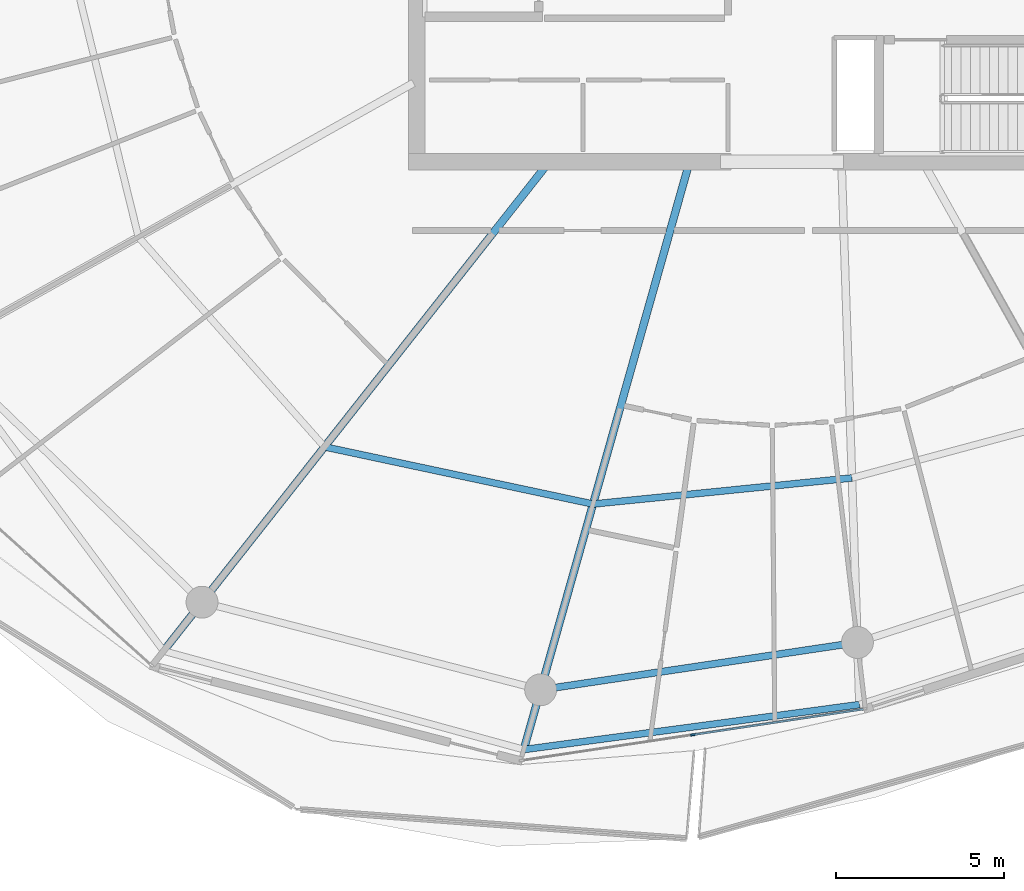
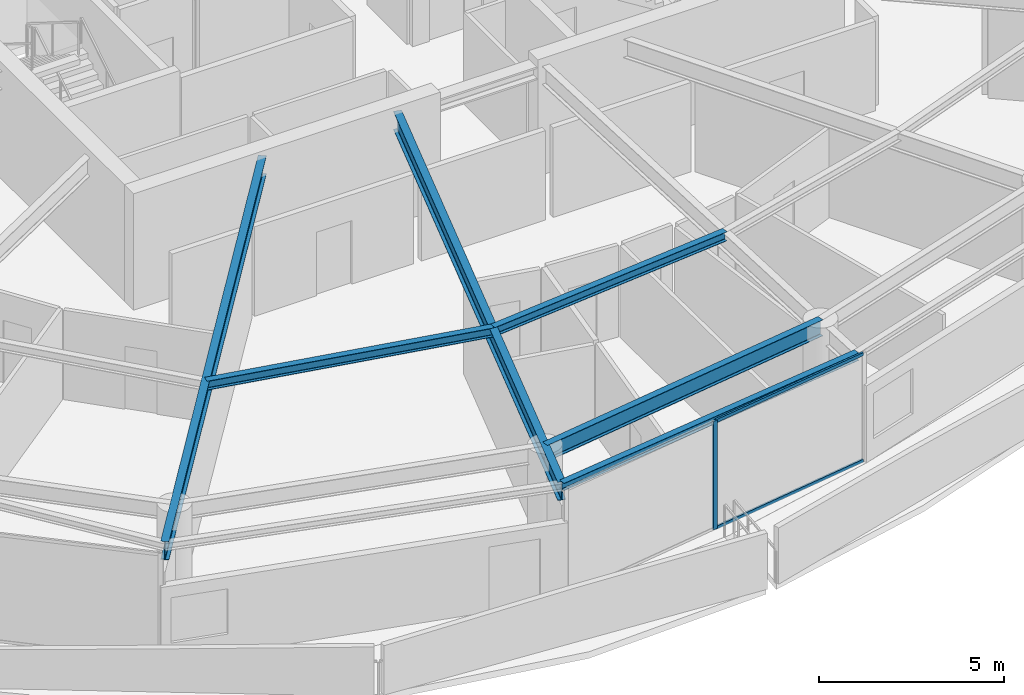
# One storey, part 7 of 30: 6 beams, 3 members, 1 element without a shape of its own.
"""IFC4 building model written with IfcOpenShell, lengths in metres."""

import ifcopenshell
import ifcopenshell.guid

model = None  # the IFC model being written
_history = None  # IfcOwnerHistory: only IFC2X3 demands one
_inside = {}  # id of a spatial element -> (the spatial element, [elements in it])
_under = {}  # id of a project, library or spatial element -> (it, [spatial elements below it])
_declared = {}  # id of a project -> (the project, [libraries it declares])
_typed = {}  # id of a type object -> (the type object, [elements of that type])
_made_of = {}  # id of a material, layer set ... -> (it, [elements and type objects made of it])


def new_model(schema):
    """Start an empty IFC model of exactly this schema.

    Asked for "IFC4X3", IfcOpenShell would pick the latest addendum, in which some entities
    have other attributes; the version numbers below select the first issue.
    IFC2X3 requires an IfcOwnerHistory on every rooted entity: one is made here for all.
    """
    global model, _history
    if schema == "IFC4X3":
        model = ifcopenshell.file(schema_version=(4, 3, 0, 0))
    else:
        model = ifcopenshell.file(schema=schema)
    _inside.clear()
    _under.clear()
    _declared.clear()
    _typed.clear()
    _made_of.clear()
    _history = None
    if model.schema == "IFC2X3":
        org = make("IfcOrganization", Name="unknown")
        user = make(
            "IfcPersonAndOrganization",
            ThePerson=make("IfcPerson", FamilyName="unknown"),
            TheOrganization=org,
        )
        app = make(
            "IfcApplication",
            ApplicationDeveloper=org,
            Version="unknown",
            ApplicationFullName="unknown",
            ApplicationIdentifier="unknown",
        )
        _history = make(
            "IfcOwnerHistory",
            OwningUser=user,
            OwningApplication=app,
            ChangeAction="ADDED",
            CreationDate=0,
        )
    return model


def make(cls, **values):
    """One entity of the class cls with the attributes given. An attribute that is None is left unset."""
    return model.create_entity(
        cls, **{name: value for name, value in values.items() if value is not None}
    )


def rooted(cls, **values):
    """An entity with a GlobalId (a new one), such as an element, a storey or a relation."""
    return make(cls, GlobalId=ifcopenshell.guid.new(), OwnerHistory=_history, **values)


def si_unit(unit_type, name, prefix=None):
    """IfcSIUnit, for example si_unit("LENGTHUNIT", "METRE", prefix="MILLI")."""
    return make("IfcSIUnit", UnitType=unit_type, Prefix=prefix, Name=name)


def assignment(units):
    """IfcUnitAssignment: the units of a project."""
    return None if units is None else make("IfcUnitAssignment", Units=units)


def point(xyz):
    """IfcCartesianPoint."""
    return None if xyz is None else make("IfcCartesianPoint", Coordinates=xyz)


def direction(xyz):
    """IfcDirection."""
    return None if xyz is None else make("IfcDirection", DirectionRatios=xyz)


def frame(location, z_axis=None, x_axis=None):
    """IfcAxis2Placement3D, a coordinate frame: its origin and axes. An axis left out is left unset."""
    return make(
        "IfcAxis2Placement3D",
        Location=point(location),
        Axis=direction(z_axis),
        RefDirection=direction(x_axis),
    )


def frame_2d(location, x_axis=None):
    """IfcAxis2Placement2D, a coordinate frame in the plane: its origin and x axis."""
    return make(
        "IfcAxis2Placement2D", Location=point(location), RefDirection=direction(x_axis)
    )


def origin():
    """The frame at (0, 0, 0) with its axes left unset."""
    return frame((0.0, 0.0, 0.0))


def origin_2d():
    """The frame at (0, 0) in the plane with its x axis left unset."""
    return frame_2d((0.0, 0.0))


def place(relative_to, where):
    """IfcLocalPlacement: puts the frame where relative to a parent placement (None: the world)."""
    return make(
        "IfcLocalPlacement", PlacementRelTo=relative_to, RelativePlacement=where
    )


def context(
    kind, dimensions, precision=None, world=None, true_north=None, identifier=None
):
    """IfcGeometricRepresentationContext, for example the 3D "Model" context."""
    return make(
        "IfcGeometricRepresentationContext",
        ContextIdentifier=identifier,
        ContextType=kind,
        CoordinateSpaceDimension=dimensions,
        Precision=precision,
        WorldCoordinateSystem=world,
        TrueNorth=true_north,
    )


def subcontext(parent, identifier, kind, view, scale=None):
    """IfcGeometricRepresentationSubContext, for example "Body" below "Model"."""
    return make(
        "IfcGeometricRepresentationSubContext",
        ContextIdentifier=identifier,
        ContextType=kind,
        ParentContext=parent,
        TargetScale=scale,
        TargetView=view,
    )


def project(units=None, contexts=None):
    """IfcProject with its units and contexts."""
    return rooted(
        "IfcProject",
        Name="project",
        RepresentationContexts=contexts,
        UnitsInContext=assignment(units),
    )


def spatial(cls, under=None, at=None, **own):
    """A site, building, storey or space (cls), placed at a placement, below another one or the project."""
    s = rooted(cls, ObjectPlacement=at, **own)
    if under is not None:
        _under.setdefault(under.id(), (under, []))[1].append(s)
    return s


def profile(cls, at=None, kind="AREA", **sizes):
    """A parametric profile (cls). Its sizes go by their IFC names, for example OverallWidth=200.0."""
    return make(cls, ProfileType=kind, Position=at, **sizes)


def rectangle(**sizes):
    """IfcRectangleProfileDef."""
    return profile("IfcRectangleProfileDef", **sizes)


def i_section(**sizes):
    """IfcIShapeProfileDef."""
    return profile("IfcIShapeProfileDef", **sizes)


def extrude(swept, where, along, depth):
    """IfcExtrudedAreaSolid: the profile swept, set in the frame where, extruded along a direction by depth."""
    return make(
        "IfcExtrudedAreaSolid",
        SweptArea=swept,
        Position=where,
        ExtrudedDirection=direction(along),
        Depth=depth,
    )


def shape(context_of_items, identifier, shape_type, items):
    """IfcShapeRepresentation: the items that make up one representation, for example the "Body"."""
    return make(
        "IfcShapeRepresentation",
        ContextOfItems=context_of_items,
        RepresentationIdentifier=identifier,
        RepresentationType=shape_type,
        Items=items,
    )


def material(Name=None, Category=None):
    """IfcMaterial."""
    return make("IfcMaterial", Name=Name, Category=Category)


def layer(
    of_material, thickness, ventilated=None, Name=None, Category=None, Priority=None
):
    """IfcMaterialLayer: one layer of a wall or slab, of a material (None: an air gap)."""
    return make(
        "IfcMaterialLayer",
        Material=of_material,
        LayerThickness=thickness,
        IsVentilated=ventilated,
        Name=Name,
        Category=Category,
        Priority=Priority,
    )


def layer_set(layers, Name=None):
    """IfcMaterialLayerSet."""
    return make("IfcMaterialLayerSet", MaterialLayers=layers, LayerSetName=Name)


def material_profile(
    of_material, cross_section, Name=None, Category=None, Priority=None
):
    """IfcMaterialProfile: a cross section and its material."""
    return make(
        "IfcMaterialProfile",
        Name=Name,
        Material=of_material,
        Profile=cross_section,
        Priority=Priority,
        Category=Category,
    )


def profile_set(profiles, Name=None, composite=None):
    """IfcMaterialProfileSet."""
    return make(
        "IfcMaterialProfileSet",
        Name=Name,
        MaterialProfiles=profiles,
        CompositeProfile=composite,
    )


def made_of(thing, what):
    """Note that an element or type object is made of a material, layer set ...; save() writes the relation."""
    if what is not None:
        _made_of.setdefault(what.id(), (what, []))[1].append(thing)
    return thing


def type_object(cls, material=None, **own):
    """A type object (cls), such as IfcWallType, which elements share."""
    return made_of(rooted(cls, **own), material)


def element(
    cls,
    number,
    at=None,
    inside=None,
    cuts=None,
    type_object=None,
    material=None,
    context=None,
    identifier="Body",
    shape_type=None,
    held_by="IfcProductDefinitionShape",
    body=None,
    shapes=None,
    **own,
):
    """One element of the class cls, such as IfcWall. Its Tag is "e" and its number.

    at: its placement. inside: the storey or other place that contains it. cuts: it is an
    opening in that element (IfcRelVoidsElement). A single representation is given by context,
    identifier, shape_type and body (its items); several are given by shapes. held_by: the class
    of the entity that holds the representations. save() writes the other relations.
    """
    e = rooted(cls, Tag="e%d" % number, ObjectPlacement=at, **own)
    if body is not None:
        shapes = [shape(context, identifier, shape_type, body)]
    if shapes is not None:
        e.Representation = make(held_by, Representations=shapes)
    if inside is not None:
        _inside.setdefault(inside.id(), (inside, []))[1].append(e)
    if cuts is not None:
        rooted(
            "IfcRelVoidsElement", RelatingBuildingElement=cuts, RelatedOpeningElement=e
        )
    if type_object is not None:
        _typed.setdefault(type_object.id(), (type_object, []))[1].append(e)
    return made_of(e, material)


def aggregate(whole, parts):
    """IfcRelAggregates: a whole, such as a stair, and the parts it consists of."""
    return rooted("IfcRelAggregates", RelatingObject=whole, RelatedObjects=parts)


def save(model, path):
    """Write the relations noted so far, then the file.

    IfcRelAggregates (storeys below a building ...), IfcRelContainedInSpatialStructure (elements
    in a storey), IfcRelDefinesByType, IfcRelAssociatesMaterial and IfcRelDeclares: one each for
    every whole, place, type object, material and project.
    """
    for whole, parts in _under.values():
        aggregate(whole, parts)
    for where, things in _inside.values():
        rooted(
            "IfcRelContainedInSpatialStructure",
            RelatedElements=things,
            RelatingStructure=where,
        )
    for kind, things in _typed.values():
        rooted("IfcRelDefinesByType", RelatedObjects=things, RelatingType=kind)
    for what, things in _made_of.values():
        rooted("IfcRelAssociatesMaterial", RelatedObjects=things, RelatingMaterial=what)
    for by, libraries in _declared.values():
        rooted("IfcRelDeclares", RelatingContext=by, RelatedDefinitions=libraries)
    model.write(path)


model = new_model("IFC4")

# Units and contexts
model_context = context("Model", 3, precision=1e-05, world=origin(), true_north=direction((0.0, 1.0)))
body_context = subcontext(model_context, "Body", "Model", "MODEL_VIEW")
ifc_project = project(units=[si_unit("LENGTHUNIT", "METRE"), si_unit("AREAUNIT", "SQUARE_METRE"), si_unit("VOLUMEUNIT", "CUBIC_METRE"), si_unit("PLANEANGLEUNIT", "RADIAN"), si_unit("MASSUNIT", "GRAM", prefix="KILO")], contexts=[model_context])

# Site, building, storey
site_placement = place(None, origin())
site = spatial("IfcSite", under=ifc_project, at=site_placement, CompositionType="ELEMENT")
building_placement = place(site_placement, origin())
building = spatial("IfcBuilding", under=site, at=building_placement, Name="Kazma Halo Residences", CompositionType="ELEMENT")
storey_placement = place(building_placement, frame((0.0, 0.0, 298.300048828125)))
storey = spatial("IfcBuildingStorey", under=building, at=storey_placement, Name="L75", CompositionType="ELEMENT", Elevation=298.300048828125)

# Beams
ifc_material_1 = material(Name="Steel S355", Category="steel")
ifc_material_profile_1 = material_profile(ifc_material_1, i_section(OverallWidth=0.201904296875, OverallDepth=0.2470703125, WebThickness=0.00732421875, FlangeThickness=0.010986328125, FilletRadius=0.011962890625, at=origin_2d()), Name="W250x49.1")
ifc_profile_set_1 = profile_set([ifc_material_profile_1], Name="Steel S355")
beam_type_1 = type_object("IfcBeamType", Name="BM-BAL-CANT", PredefinedType="BEAM", material=ifc_profile_set_1)
beam_1_placement = place(storey_placement, frame((40.73486328125, 16.239990234375, 3.466552734375), z_axis=(0.991136135569, 0.132850144029, 0.0), x_axis=(-0.132850144029, 0.991136135569, 0.0)))
element("IfcBeam", 1, at=beam_1_placement, inside=storey, type_object=beam_type_1, Name="L75 wave-balcony tie beam 11", PredefinedType="BEAM", context=body_context, shape_type="SweptSolid", body=[
    extrude(i_section(OverallWidth=0.201904296875, OverallDepth=0.2470703125, WebThickness=0.00732421875, FlangeThickness=0.010986328125, FilletRadius=0.011962890625, at=origin_2d()), origin(), (0.0, 0.0, 1.0), 10.087158203125),
])
ifc_material_profile_2 = material_profile(ifc_material_1, i_section(OverallWidth=0.22802734375, OverallDepth=0.60791015625, WebThickness=0.01123046875, FlangeThickness=0.017333984375, FilletRadius=0.01806640625, at=origin_2d()), Name="W610x113")
ifc_profile_set_2 = profile_set([ifc_material_profile_2], Name="Steel S355")
beam_type_2 = type_object("IfcBeamType", Name="BM-RAD-W610", PredefinedType="BEAM", material=ifc_profile_set_2)
beam_2_placement = place(storey_placement, frame((41.41748046875, 33.64990234375, 3.285888671875), z_axis=(-0.619094367176, -0.785316601461, 0.0), x_axis=(0.785316601461, -0.619094367176, 0.0)))
element("IfcBeam", 2, at=beam_2_placement, inside=storey, type_object=beam_type_2, Name="L75 radial floor beam 10", PredefinedType="BEAM", context=body_context, shape_type="SweptSolid", body=[
    extrude(i_section(OverallWidth=0.22802734375, OverallDepth=0.60791015625, WebThickness=0.01123046875, FlangeThickness=0.017333984375, FilletRadius=0.01806640625, at=origin_2d()), origin(), (0.0, 0.0, 1.0), 18.429931640625),
])
beam_3_placement = place(storey_placement, frame((45.64501953125, 33.64990234375, 3.285888671875), z_axis=(-0.271443175073, -0.962454467861, 0.0), x_axis=(0.962454467861, -0.271443175073, 0.0)))
element("IfcBeam", 3, at=beam_3_placement, inside=storey, type_object=beam_type_2, Name="L75 radial floor beam 11", PredefinedType="BEAM", context=body_context, shape_type="SweptSolid", body=[
    extrude(i_section(OverallWidth=0.22802734375, OverallDepth=0.60791015625, WebThickness=0.01123046875, FlangeThickness=0.017333984375, FilletRadius=0.01806640625, at=origin_2d()), origin(), (0.0, 0.0, 1.0), 18.089111328125),
])
ifc_material_profile_3 = material_profile(ifc_material_1, i_section(OverallWidth=0.202880859375, OverallDepth=0.302978515625, WebThickness=0.007568359375, FlangeThickness=0.01318359375, FilletRadius=0.013916015625, at=origin_2d()), Name="W310x60")
ifc_profile_set_3 = profile_set([ifc_material_profile_3], Name="Steel S355")
beam_type_3 = type_object("IfcBeamType", Name="BM-SEC-W310A", PredefinedType="JOIST", material=ifc_profile_set_3)
beam_4_placement = place(storey_placement, frame((34.7998046875, 25.25537109375, 3.4384765625), z_axis=(0.97806685939, -0.208291186956, 0.0), x_axis=(0.208291186956, 0.97806685939, 0.0)))
element("IfcBeam", 4, at=beam_4_placement, inside=storey, type_object=beam_type_3, Name="L75 circumferential floor joist 10", PredefinedType="JOIST", context=body_context, shape_type="SweptSolid", body=[
    extrude(i_section(OverallWidth=0.202880859375, OverallDepth=0.302978515625, WebThickness=0.007568359375, FlangeThickness=0.01318359375, FilletRadius=0.013916015625, at=origin_2d()), origin(), (0.0, 0.0, 1.0), 8.1767578125),
])
beam_5_placement = place(storey_placement, frame((42.797119140625, 23.55224609375, 3.4384765625), z_axis=(0.994958290831, 0.100289578258, 0.0), x_axis=(-0.100289578258, 0.994958290831, 0.0)))
element("IfcBeam", 5, at=beam_5_placement, inside=storey, type_object=beam_type_3, Name="L75 circumferential floor joist 11", PredefinedType="JOIST", context=body_context, shape_type="SweptSolid", body=[
    extrude(i_section(OverallWidth=0.202880859375, OverallDepth=0.302978515625, WebThickness=0.007568359375, FlangeThickness=0.01318359375, FilletRadius=0.013916015625, at=origin_2d()), origin(), (0.0, 0.0, 1.0), 7.7509765625),
])
ifc_material_profile_4 = material_profile(ifc_material_1, i_section(OverallWidth=0.208984375, OverallDepth=0.532958984375, WebThickness=0.01025390625, FlangeThickness=0.015625, FilletRadius=0.01611328125, at=origin_2d()), Name="W530x92")
ifc_profile_set_4 = profile_set([ifc_material_profile_4], Name="Steel S355")
beam_type_4 = type_object("IfcBeamType", Name="BM-SPN-W530", PredefinedType="BEAM", material=ifc_profile_set_4)
beam_6_placement = place(storey_placement, frame((41.237060546875, 18.0205078125, 3.323486328125), z_axis=(0.989035441627, 0.147678350495, 0.0), x_axis=(-0.147678350495, 0.989035441627, 0.0)))
element("IfcBeam", 6, at=beam_6_placement, inside=storey, type_object=beam_type_4, Name="L75 perimeter ring beam 11", PredefinedType="BEAM", context=body_context, shape_type="SweptSolid", body=[
    extrude(i_section(OverallWidth=0.208984375, OverallDepth=0.532958984375, WebThickness=0.01025390625, FlangeThickness=0.015625, FilletRadius=0.01611328125, at=origin_2d()), origin(), (0.0, 0.0, 1.0), 9.538818359375),
])

# Curtain wall, members
ifc_material_2 = material(Name="Aluminium AW-6063 T6 and Triple-Silver Low-E Glass", Category="aluminium")
ifc_layer = layer(ifc_material_2, 0.139892578125)
ifc_layer_set = layer_set([ifc_layer], Name="Aluminium AW-6063 T6 and Triple-Silver Low-E Glass")
curtain_wall_type = type_object("IfcCurtainWallType", Name="CW-SYS-5", PredefinedType="NOTDEFINED", material=ifc_layer_set)
curtain_wall_placement = place(storey_placement, origin())
curtain_wall = element("IfcCurtainWall", 7, at=curtain_wall_placement, inside=storey, type_object=curtain_wall_type, Name="L75 unitised curtain wall B11", PredefinedType="NOTDEFINED")
ifc_material_3 = material(Name="Aluminium AW-6063 T6", Category="aluminium")
ifc_material_profile_5 = material_profile(ifc_material_3, rectangle(XDim=0.06005859375, YDim=0.139892578125, at=origin_2d()), Name="CWM-60x140")
ifc_profile_set_5 = profile_set([ifc_material_profile_5], Name="Aluminium AW-6063 T6")
member_type_1 = type_object("IfcMemberType", Name="CW-SYS-5-MUL", PredefinedType="MULLION", material=ifc_profile_set_5)
member_1_placement = place(storey_placement, frame((45.7734375, 16.679931640625, 0.0), z_axis=(0.0, 0.0, 1.0), x_axis=(-0.148697080374, 0.988882792998, 0.0)))
member_1 = element("IfcMember", 8, at=member_1_placement, type_object=member_type_1, Name="CWS-5 mullion 2", PredefinedType="MULLION", context=body_context, shape_type="SweptSolid", body=[
    extrude(rectangle(XDim=0.06005859375, YDim=0.139892578125, at=origin_2d()), origin(), (0.0, 0.0, 1.0), 3.58984375),
])
ifc_material_profile_6 = material_profile(ifc_material_3, rectangle(XDim=0.06005859375, YDim=0.10498046875, at=origin_2d()), Name="CWT-60x105")
ifc_profile_set_6 = profile_set([ifc_material_profile_6], Name="Aluminium AW-6063 T6")
member_type_2 = type_object("IfcMemberType", Name="CW-SYS-5-TRN", PredefinedType="USERDEFINED", material=ifc_profile_set_6)
member_2_placement = place(storey_placement, frame((45.80322265625, 16.6845703125, 0.030029296875), z_axis=(0.988882913569, 0.148696278541, 0.0), x_axis=(-0.148696278541, 0.988882913569, 0.0)))
member_2 = element("IfcMember", 9, at=member_2_placement, type_object=member_type_2, Name="CWS-5 transom 2.1", ObjectType="TRANSOM", PredefinedType="USERDEFINED", context=body_context, shape_type="SweptSolid", body=[
    extrude(rectangle(XDim=0.06005859375, YDim=0.10498046875, at=origin_2d()), origin(), (0.0, 0.0, 1.0), 5.099609375),
])
member_3_placement = place(storey_placement, frame((45.80322265625, 16.6845703125, 3.56005859375), z_axis=(0.988882913569, 0.148696278541, 0.0), x_axis=(-0.148696278541, 0.988882913569, 0.0)))
member_3 = element("IfcMember", 10, at=member_3_placement, type_object=member_type_2, Name="CWS-5 transom 2.2", ObjectType="TRANSOM", PredefinedType="USERDEFINED", context=body_context, shape_type="SweptSolid", body=[
    extrude(rectangle(XDim=0.06005859375, YDim=0.10498046875, at=origin_2d()), origin(), (0.0, 0.0, 1.0), 5.099609375),
])
aggregate(curtain_wall, [member_1, member_2, member_3])

save(model, "model.ifc")
